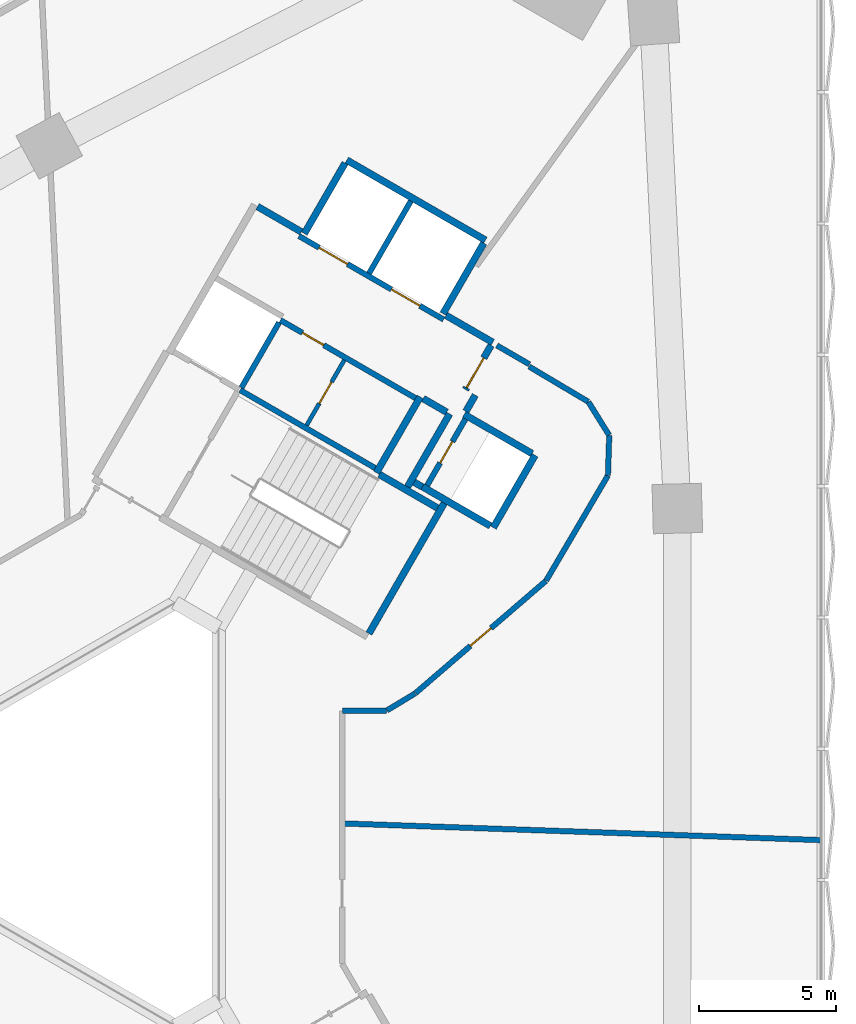
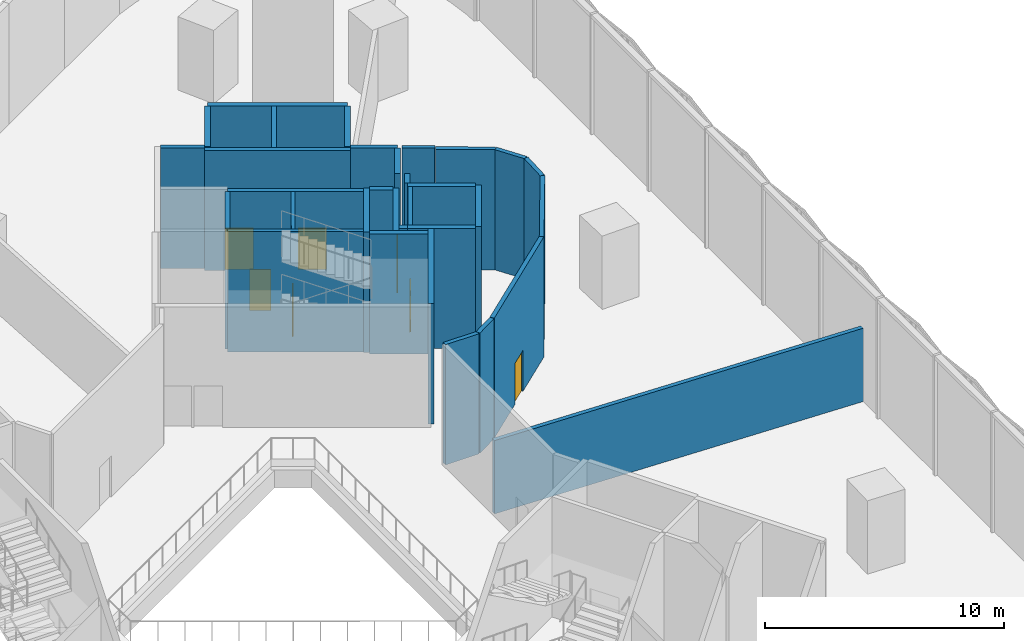
# One storey, part 17 of 32: 32 walls, 7 doors, 7 openings.
"""IFC4 building model written with IfcOpenShell, lengths in metres."""

from ifc_helpers import new_model, si_unit, direction, frame, frame_2d, origin, place, context, subcontext, project, spatial, rectangle, extrude, material, layer, layer_set, type_object, element, fill, save


model = new_model("IFC4")

# Units and contexts
model_context = context("Model", 3, precision=1e-05, world=origin(), true_north=direction((0.0, 1.0)))
body_context = subcontext(model_context, "Body", "Model", "MODEL_VIEW")
ifc_project = project(units=[si_unit("LENGTHUNIT", "METRE"), si_unit("AREAUNIT", "SQUARE_METRE"), si_unit("VOLUMEUNIT", "CUBIC_METRE"), si_unit("PLANEANGLEUNIT", "RADIAN"), si_unit("MASSUNIT", "GRAM", prefix="KILO")], contexts=[model_context])

# Site, building, storey
site_placement = place(None, origin())
site = spatial("IfcSite", under=ifc_project, at=site_placement, CompositionType="ELEMENT")
building_placement = place(site_placement, origin())
building = spatial("IfcBuilding", under=site, at=building_placement, Name="Tamra Quay Hotel Tower", CompositionType="ELEMENT")
storey_placement = place(building_placement, frame((0.0, 0.0, 7.5)))
storey = spatial("IfcBuildingStorey", under=building, at=storey_placement, Name="L01", CompositionType="ELEMENT", Elevation=7.5)

# Wall, openings, doors
ifc_material_1 = material(Name="Concrete M70", Category="concrete")
ifc_layer_1 = layer(ifc_material_1, 0.199951171875)
ifc_layer_set_1 = layer_set([ifc_layer_1], Name="Concrete M70 core wall 200")
wall_type_1 = type_object("IfcWallType", Name="Concrete M70 core wall 200", PredefinedType="SHEAR", material=ifc_layer_set_1)
wall_1_placement = place(storey_placement, frame((13.209716796875, 18.07958984375, 0.0), z_axis=(0.0, 0.0, 1.0), x_axis=(-0.866030299012, 0.499991521122, 0.0)))
wall_1 = element("IfcWall", 1, at=wall_1_placement, inside=storey, type_object=wall_type_1, Name="CW2", PredefinedType="SHEAR", context=body_context, shape_type="SweptSolid", body=[
    extrude(rectangle(XDim=6.10009765625, YDim=0.199951171875, at=frame_2d((3.050048828125, 0.0))), origin(), (0.0, 0.0, 1.0), 6.14990234375),
])
opening_1_placement = place(wall_1_placement, frame((1.0, 0.0, 0.0)))
opening_1 = element("IfcOpeningElement", 2, at=opening_1_placement, cuts=wall_1, Name="Opening LD", PredefinedType="OPENING", context=body_context, shape_type="SweptSolid", body=[
    extrude(rectangle(XDim=1.199951171875, YDim=2.10009765625, at=frame_2d((0.60009765625, 1.050048828125))), frame((0.0, 0.10986328125, 0.0), z_axis=(0.0, -1.0, 0.0), x_axis=(1.0, 0.0, 0.0)), (0.0, 0.0, 1.0), 0.219970703125),
])
opening_2_placement = place(wall_1_placement, frame((4.05029296875, 0.0, 0.0)))
opening_2 = element("IfcOpeningElement", 3, at=opening_2_placement, cuts=wall_1, Name="Opening LD", PredefinedType="OPENING", context=body_context, shape_type="SweptSolid", body=[
    extrude(rectangle(XDim=1.199951171875, YDim=2.10009765625, at=frame_2d((0.60009765625, 1.050048828125))), frame((0.0, 0.10986328125, 0.0), z_axis=(0.0, -1.0, 0.0), x_axis=(1.0, 0.0, 0.0)), (0.0, 0.0, 1.0), 0.219970703125),
])
ifc_material_2 = material(Name="Landing door LD 1200 double door sliding")
door_type_1 = type_object("IfcDoorType", Name="Landing door LD 1200 double door sliding", OperationType="DOUBLE_DOOR_SLIDING", PredefinedType="DOOR", material=ifc_material_2)
door_1_placement = place(opening_1_placement, origin())
door_1 = element("IfcDoor", 4, at=door_1_placement, inside=storey, type_object=door_type_1, Name="LD", OperationType="DOUBLE_DOOR_SLIDING", OverallHeight=2.10009765625, OverallWidth=1.199951171875, PredefinedType="DOOR", context=body_context, shape_type="SweptSolid", body=[
    extrude(rectangle(XDim=1.199951171875, YDim=2.10009765625, at=frame_2d((0.60009765625, 1.050048828125))), frame((0.0, 0.02490234375, 0.0), z_axis=(0.0, -1.0, 0.0), x_axis=(1.0, 0.0, 0.0)), (0.0, 0.0, 1.0), 0.050048828125),
])
fill(opening_1, door_1)
door_2_placement = place(opening_2_placement, origin())
door_2 = element("IfcDoor", 5, at=door_2_placement, inside=storey, type_object=door_type_1, Name="LD", OperationType="DOUBLE_DOOR_SLIDING", OverallHeight=2.10009765625, OverallWidth=1.199951171875, PredefinedType="DOOR", context=body_context, shape_type="SweptSolid", body=[
    extrude(rectangle(XDim=1.199951171875, YDim=2.10009765625, at=frame_2d((0.60009765625, 1.050048828125))), frame((0.0, 0.02490234375, 0.0), z_axis=(0.0, -1.0, 0.0), x_axis=(1.0, 0.0, 0.0)), (0.0, 0.0, 1.0), 0.050048828125),
])
fill(opening_2, door_2)

# Wall
wall_2_placement = place(storey_placement, frame((5.774658203125, 15.501953125, 0.0), z_axis=(0.0, 0.0, 1.0), x_axis=(0.866020080793, -0.500009219579, 0.0)))
element("IfcWall", 6, at=wall_2_placement, inside=storey, type_object=wall_type_1, Name="CW2", PredefinedType="SHEAR", context=body_context, shape_type="SweptSolid", body=[
    extrude(rectangle(XDim=5.69921875, YDim=0.199951171875, at=frame_2d((2.849609375, 0.0))), origin(), (0.0, 0.0, 1.0), 6.14990234375),
])

# Wall, opening, door
wall_3_placement = place(storey_placement, frame((12.18505859375, 15.20703125, 0.0), z_axis=(0.0, 0.0, 1.0), x_axis=(-0.866020080793, 0.500009219579, 0.0)))
wall_3 = element("IfcWall", 7, at=wall_3_placement, inside=storey, type_object=wall_type_1, Name="CW2", PredefinedType="SHEAR", context=body_context, shape_type="SweptSolid", body=[
    extrude(rectangle(XDim=5.69921875, YDim=0.199951171875, at=frame_2d((2.849609375, 0.0))), origin(), (0.0, 0.0, 1.0), 6.14990234375),
])
opening_3_placement = place(wall_3_placement, frame((3.8740234375, 0.0, 0.0)))
opening_3 = element("IfcOpeningElement", 8, at=opening_3_placement, cuts=wall_3, Name="Opening D2", PredefinedType="OPENING", context=body_context, shape_type="SweptSolid", body=[
    extrude(rectangle(XDim=0.89990234375, YDim=2.10009765625, at=frame_2d((0.449951171875, 1.050048828125))), frame((0.0, 0.10986328125, 0.0), z_axis=(0.0, -1.0, 0.0), x_axis=(1.0, 0.0, 0.0)), (0.0, 0.0, 1.0), 0.219970703125),
])
ifc_material_3 = material(Name="Core door D2 900x2100 LH")
door_type_2 = type_object("IfcDoorType", Name="Core door D2 900x2100 LH", OperationType="NOTDEFINED", PredefinedType="DOOR", material=ifc_material_3)
door_3_placement = place(opening_3_placement, origin())
door_3 = element("IfcDoor", 9, at=door_3_placement, inside=storey, type_object=door_type_2, Name="D2", OperationType="SINGLE_SWING_LEFT", OverallHeight=2.10009765625, OverallWidth=0.89990234375, PredefinedType="DOOR", context=body_context, shape_type="SweptSolid", body=[
    extrude(rectangle(XDim=0.89990234375, YDim=2.10009765625, at=frame_2d((0.449951171875, 1.050048828125))), frame((0.0, 0.02490234375, 0.0), z_axis=(0.0, -1.0, 0.0), x_axis=(1.0, 0.0, 0.0)), (0.0, 0.0, 1.0), 0.050048828125),
])
fill(opening_3, door_3)

# Wall
wall_4_placement = place(storey_placement, frame((10.48876953125, 19.76708984375, 0.0), z_axis=(0.0, 0.0, 1.0), x_axis=(0.499946628782, 0.866056215479, 0.0)))
element("IfcWall", 10, at=wall_4_placement, inside=storey, type_object=wall_type_1, Name="CW2", PredefinedType="SHEAR", context=body_context, shape_type="SweptSolid", body=[
    extrude(rectangle(XDim=3.048095703125, YDim=0.199951171875, at=frame_2d((1.52392578125, 0.0))), origin(), (0.0, 0.0, 1.0), 6.14990234375),
])

# Wall, opening, door
wall_5_placement = place(storey_placement, frame((14.0078125, 14.442138671875, 0.0), z_axis=(0.0, 0.0, 1.0), x_axis=(-0.499986818241, -0.866033014143, 0.0)))
wall_5 = element("IfcWall", 11, at=wall_5_placement, inside=storey, type_object=wall_type_1, Name="CW2", PredefinedType="SHEAR", context=body_context, shape_type="SweptSolid", body=[
    extrude(rectangle(XDim=2.7978515625, YDim=0.199951171875, at=frame_2d((1.39892578125, 0.0))), origin(), (0.0, 0.0, 1.0), 6.14990234375),
])
opening_4_placement = place(wall_5_placement, frame((0.948974609375, 0.0, 0.0)))
opening_4 = element("IfcOpeningElement", 12, at=opening_4_placement, cuts=wall_5, Name="Opening D1", PredefinedType="OPENING", context=body_context, shape_type="SweptSolid", body=[
    extrude(rectangle(XDim=0.89990234375, YDim=2.10009765625, at=frame_2d((0.449951171875, 1.050048828125))), frame((0.0, 0.10986328125, 0.0), z_axis=(0.0, -1.0, 0.0), x_axis=(1.0, 0.0, 0.0)), (0.0, 0.0, 1.0), 0.219970703125),
])
ifc_material_4 = material(Name="Core door D1 900x2100 RH")
door_type_3 = type_object("IfcDoorType", Name="Core door D1 900x2100 RH", OperationType="NOTDEFINED", PredefinedType="DOOR", material=ifc_material_4)
door_4_placement = place(opening_4_placement, origin())
door_4 = element("IfcDoor", 13, at=door_4_placement, inside=storey, type_object=door_type_3, Name="D1", OperationType="SINGLE_SWING_RIGHT", OverallHeight=2.10009765625, OverallWidth=0.89990234375, PredefinedType="DOOR", context=body_context, shape_type="SweptSolid", body=[
    extrude(rectangle(XDim=0.89990234375, YDim=2.10009765625, at=frame_2d((0.449951171875, 1.050048828125))), frame((0.0, 0.02490234375, 0.0), z_axis=(0.0, -1.0, 0.0), x_axis=(1.0, 0.0, 0.0)), (0.0, 0.0, 1.0), 0.050048828125),
])
fill(opening_4, door_4)

# Walls
wall_6_placement = place(storey_placement, frame((7.199462890625, 17.969970703125, 0.0), z_axis=(0.0, 0.0, 1.0), x_axis=(-0.499968400327, -0.866043647095, 0.0)))
element("IfcWall", 14, at=wall_6_placement, inside=storey, type_object=wall_type_1, Name="CW2", PredefinedType="SHEAR", context=body_context, shape_type="SweptSolid", body=[
    extrude(rectangle(XDim=2.749755859375, YDim=0.199951171875, at=frame_2d((1.375, 0.0))), origin(), (0.0, 0.0, 1.0), 6.14990234375),
])
ifc_layer_2 = layer(ifc_material_1, 0.25)
ifc_layer_set_2 = layer_set([ifc_layer_2], Name="Concrete M70 core wall 250")
wall_type_2 = type_object("IfcWallType", Name="Concrete M70 core wall 250", PredefinedType="SHEAR", material=ifc_layer_set_2)
wall_7_placement = place(storey_placement, frame((9.672607421875, 23.9033203125, 0.0), z_axis=(0.0, 0.0, 1.0), x_axis=(0.86603616409, -0.499981362141, 0.0)))
element("IfcWall", 15, at=wall_7_placement, inside=storey, type_object=wall_type_2, Name="CW1", PredefinedType="SHEAR", context=body_context, shape_type="SweptSolid", body=[
    extrude(rectangle(XDim=5.849853515625, YDim=0.25, at=frame_2d((2.9248046875, 0.0))), origin(), (0.0, 0.0, 1.0), 6.14990234375),
])
wall_8_placement = place(storey_placement, frame((13.237548828125, 11.3779296875, 0.0), z_axis=(0.0, 0.0, 1.0), x_axis=(-0.500008851346, -0.866020293397, 0.0)))
element("IfcWall", 16, at=wall_8_placement, inside=storey, type_object=wall_type_2, Name="CW1", PredefinedType="SHEAR", context=body_context, shape_type="SweptSolid", body=[
    extrude(rectangle(XDim=5.509765625, YDim=0.25, at=frame_2d((2.7548828125, 0.0))), origin(), (0.0, 0.0, 1.0), 6.14990234375),
])
wall_9_placement = place(storey_placement, frame((12.356689453125, 15.25244140625, 0.0), z_axis=(0.0, 0.0, 1.0), x_axis=(-0.500028443584, -0.866008981251, 0.0)))
element("IfcWall", 17, at=wall_9_placement, inside=storey, type_object=wall_type_2, Name="CW1", PredefinedType="SHEAR", context=body_context, shape_type="SweptSolid", body=[
    extrude(rectangle(XDim=3.199951171875, YDim=0.25, at=frame_2d((1.60009765625, 0.0))), origin(), (0.0, 0.0, 1.0), 6.14990234375),
])
for number, where, z_axis, x_axis, name in (
    (18, (8.12255859375, 21.21875, 0.0), (0.0, 0.0, 1.0), (0.499987686533, 0.866032512851, 0.0), "CW1"),
    (19, (14.67626953125, 20.869873046875, 0.0), (0.0, 0.0, 1.0), (-0.499987686533, -0.866032512851, 0.0), "CW1"),
):
    element("IfcWall", number, at=place(storey_placement, frame(where, z_axis=z_axis, x_axis=x_axis)), inside=storey, type_object=wall_type_2, Name=name, PredefinedType="SHEAR", context=body_context, shape_type="SweptSolid", body=[
        extrude(rectangle(XDim=2.974609375, YDim=0.25, at=frame_2d((1.4873046875, 0.0))), origin(), (0.0, 0.0, 1.0), 6.14990234375),
    ])
wall_10_placement = place(storey_placement, frame((16.552001953125, 13.118896484375, 0.0), z_axis=(0.0, 0.0, 1.0), x_axis=(-0.499978833458, -0.866037623948, 0.0)))
element("IfcWall", 20, at=wall_10_placement, inside=storey, type_object=wall_type_2, Name="CW1", PredefinedType="SHEAR", context=body_context, shape_type="SweptSolid", body=[
    extrude(rectangle(XDim=3.050048828125, YDim=0.25, at=frame_2d((1.52490234375, 0.0))), origin(), (0.0, 0.0, 1.0), 6.14990234375),
])
wall_11_placement = place(storey_placement, frame((14.91845703125, 10.540283203125, 0.0), z_axis=(0.0, 0.0, 1.0), x_axis=(-0.866063538972, 0.499933942099, 0.0)))
element("IfcWall", 21, at=wall_11_placement, inside=storey, type_object=wall_type_2, Name="CW1", PredefinedType="SHEAR", context=body_context, shape_type="SweptSolid", body=[
    extrude(rectangle(XDim=2.86474609375, YDim=0.25, at=frame_2d((1.432373046875, 0.0))), origin(), (0.0, 0.0, 1.0), 6.14990234375),
])
wall_12_placement = place(storey_placement, frame((13.962646484375, 14.61376953125, 0.0), z_axis=(0.0, 0.0, 1.0), x_axis=(0.866042235819, -0.499970844928, 0.0)))
element("IfcWall", 22, at=wall_12_placement, inside=storey, type_object=wall_type_2, Name="CW1", PredefinedType="SHEAR", context=body_context, shape_type="SweptSolid", body=[
    extrude(rectangle(XDim=2.864501953125, YDim=0.25, at=frame_2d((1.43212890625, 0.0))), origin(), (0.0, 0.0, 1.0), 6.14990234375),
])
wall_13_placement = place(storey_placement, frame((11.887939453125, 11.960693359375, 0.0), z_axis=(0.0, 0.0, 1.0), x_axis=(0.500003324108, 0.866023484601, 0.0)))
element("IfcWall", 23, at=wall_13_placement, inside=storey, type_object=wall_type_2, Name="CW1", PredefinedType="SHEAR", context=body_context, shape_type="SweptSolid", body=[
    extrude(rectangle(XDim=3.0849609375, YDim=0.25, at=frame_2d((1.54248046875, 0.0))), origin(), (0.0, 0.0, 1.0), 6.14990234375),
])
wall_14_placement = place(storey_placement, frame((10.865234375, 12.41845703125, 0.0), z_axis=(0.0, 0.0, 1.0), x_axis=(0.866026229868, -0.499998569178, 0.0)))
element("IfcWall", 24, at=wall_14_placement, inside=storey, type_object=wall_type_2, Name="CW1", PredefinedType="SHEAR", context=body_context, shape_type="SweptSolid", body=[
    extrude(rectangle(XDim=2.44921875, YDim=0.25, at=frame_2d((1.224609375, 0.0))), origin(), (0.0, 0.0, 1.0), 6.14990234375),
])
wall_15_placement = place(storey_placement, frame((13.29736328125, 18.23095703125, 0.0), z_axis=(0.0, 0.0, 1.0), x_axis=(0.866043531843, -0.499968599967, 0.0)))
element("IfcWall", 25, at=wall_15_placement, inside=storey, type_object=wall_type_2, Name="CW1", PredefinedType="SHEAR", context=body_context, shape_type="SweptSolid", body=[
    extrude(rectangle(XDim=1.974853515625, YDim=0.25, at=frame_2d((0.9873046875, 0.0))), origin(), (0.0, 0.0, 1.0), 6.14990234375),
])
wall_16_placement = place(storey_placement, frame((6.41259765625, 22.2060546875, 0.0), z_axis=(0.0, 0.0, 1.0), x_axis=(0.866016279763, -0.500015802937, 0.0)))
element("IfcWall", 26, at=wall_16_placement, inside=storey, type_object=wall_type_2, Name="CW1", PredefinedType="SHEAR", context=body_context, shape_type="SweptSolid", body=[
    extrude(rectangle(XDim=1.84912109375, YDim=0.25, at=frame_2d((0.924560546875, 0.0))), origin(), (0.0, 0.0, 1.0), 6.14990234375),
])

# Wall, opening, door
wall_17_placement = place(storey_placement, frame((14.94482421875, 17.13525390625, 0.0), z_axis=(0.0, 0.0, 1.0), x_axis=(-0.499983108224, -0.866035156036, 0.0)))
wall_17 = element("IfcWall", 27, at=wall_17_placement, inside=storey, type_object=wall_type_2, Name="CW1", PredefinedType="SHEAR", context=body_context, shape_type="SweptSolid", body=[
    extrude(rectangle(XDim=1.86474609375, YDim=0.25, at=frame_2d((0.932373046875, 0.0))), origin(), (0.0, 0.0, 1.0), 6.14990234375),
])
opening_5_placement = place(wall_17_placement, frame((0.53466796875, 0.0, 0.0)))
opening_5 = element("IfcOpeningElement", 28, at=opening_5_placement, cuts=wall_17, Name="Opening FD3", PredefinedType="OPENING", context=body_context, shape_type="SweptSolid", body=[
    extrude(rectangle(XDim=1.25, YDim=2.10009765625, at=frame_2d((0.625, 1.050048828125))), frame((0.0, 0.135009765625, 0.0), z_axis=(0.0, -1.0, 0.0), x_axis=(1.0, 0.0, 0.0)), (0.0, 0.0, 1.0), 0.27001953125),
])
ifc_material_5 = material(Name="Core door FD3 1250x2100 LH")
door_type_4 = type_object("IfcDoorType", Name="Core door FD3 1250x2100 LH", OperationType="NOTDEFINED", PredefinedType="DOOR", material=ifc_material_5)
door_5_placement = place(opening_5_placement, origin())
door_5 = element("IfcDoor", 29, at=door_5_placement, inside=storey, type_object=door_type_4, Name="FD3", OperationType="SINGLE_SWING_LEFT", OverallHeight=2.10009765625, OverallWidth=1.25, PredefinedType="DOOR", context=body_context, shape_type="SweptSolid", body=[
    extrude(rectangle(XDim=1.25, YDim=2.10009765625, at=frame_2d((0.625, 1.050048828125))), frame((0.0, 0.02490234375, 0.0), z_axis=(0.0, -1.0, 0.0), x_axis=(1.0, 0.0, 0.0)), (0.0, 0.0, 1.0), 0.050048828125),
])
fill(opening_5, door_5)

# Walls
wall_18_placement = place(storey_placement, frame((13.322021484375, 14.695068359375, 0.0), z_axis=(0.0, 0.0, 1.0), x_axis=(-0.866017078145, 0.500014420154, 0.0)))
element("IfcWall", 30, at=wall_18_placement, inside=storey, type_object=wall_type_2, Name="CW1", PredefinedType="SHEAR", context=body_context, shape_type="SweptSolid", body=[
    extrude(rectangle(XDim=0.9892578125, YDim=0.25, at=frame_2d((0.49462890625, 0.0))), origin(), (0.0, 0.0, 1.0), 6.14990234375),
])
wall_19_placement = place(storey_placement, frame((14.36767578125, 15.3154296875, 0.0), z_axis=(0.0, 0.0, 1.0), x_axis=(-0.499897359611, -0.866084655132, 0.0)))
element("IfcWall", 31, at=wall_19_placement, inside=storey, type_object=wall_type_2, Name="CW1", PredefinedType="SHEAR", context=body_context, shape_type="SweptSolid", body=[
    extrude(rectangle(XDim=0.684814453125, YDim=0.25, at=frame_2d((0.34228515625, 0.0))), origin(), (0.0, 0.0, 1.0), 6.14990234375),
])
wall_20_placement = place(storey_placement, frame((12.4326171875, 11.9638671875, 0.0), z_axis=(0.0, 0.0, 1.0), x_axis=(-0.866055875208, 0.499947218231, 0.0)))
element("IfcWall", 32, at=wall_20_placement, inside=storey, type_object=wall_type_2, Name="CW1", PredefinedType="SHEAR", context=body_context, shape_type="SweptSolid", body=[
    extrude(rectangle(XDim=0.3447265625, YDim=0.25, at=frame_2d((0.17236328125, 0.0))), origin(), (0.0, 0.0, 1.0), 6.14990234375),
])

# Wall, opening, door
ifc_material_6 = material(Name="Blockwork", Category="masonry")
ifc_layer_3 = layer(ifc_material_6, 0.14990234375)
ifc_layer_set_3 = layer_set([ifc_layer_3], Name="Core partition block 150")
wall_type_3 = type_object("IfcWallType", Name="Core partition block 150", PredefinedType="PARTITIONING", material=ifc_layer_set_3)
wall_21_placement = place(storey_placement, frame((8.20654296875, 14.214111328125, 0.0), z_axis=(0.0, 0.0, 1.0), x_axis=(0.499922376475, 0.866070215109, 0.0)))
wall_21 = element("IfcWall", 33, at=wall_21_placement, inside=storey, type_object=wall_type_3, Name="CP1", PredefinedType="PARTITIONING", context=body_context, shape_type="SweptSolid", body=[
    extrude(rectangle(XDim=2.74853515625, YDim=0.14990234375, at=frame_2d((1.374267578125, 0.0))), origin(), (0.0, 0.0, 1.0), 6.14990234375),
])
opening_6_placement = place(wall_21_placement, frame((0.92431640625, 0.0, 0.0)))
opening_6 = element("IfcOpeningElement", 34, at=opening_6_placement, cuts=wall_21, Name="Opening D2", PredefinedType="OPENING", context=body_context, shape_type="SweptSolid", body=[
    extrude(rectangle(XDim=0.89990234375, YDim=2.10009765625, at=frame_2d((0.449951171875, 1.050048828125))), frame((0.0, 0.0849609375, 0.0), z_axis=(0.0, -1.0, 0.0), x_axis=(1.0, 0.0, 0.0)), (0.0, 0.0, 1.0), 0.169921875),
])
door_6_placement = place(opening_6_placement, origin())
door_6 = element("IfcDoor", 35, at=door_6_placement, inside=storey, type_object=door_type_2, Name="D2", OperationType="SINGLE_SWING_LEFT", OverallHeight=2.10009765625, OverallWidth=0.89990234375, PredefinedType="DOOR", context=body_context, shape_type="SweptSolid", body=[
    extrude(rectangle(XDim=0.89990234375, YDim=2.10009765625, at=frame_2d((0.449951171875, 1.050048828125))), frame((0.0, 0.02490234375, 0.0), z_axis=(0.0, -1.0, 0.0), x_axis=(1.0, 0.0, 0.0)), (0.0, 0.0, 1.0), 0.050048828125),
])
fill(opening_6, door_6)

# Walls
ifc_material_7 = material(Name="Partition corridor wall")
ifc_layer_4 = layer(ifc_material_7, 0.199951171875)
ifc_layer_set_4 = layer_set([ifc_layer_4], Name="Partition corridor wall")
wall_type_4 = type_object("IfcWallType", Name="Partition corridor wall", PredefinedType="PARTITIONING", material=ifc_layer_set_4)
wall_22_placement = place(storey_placement, frame((9.510009765625, 3.7939453125, 0.0), z_axis=(0.0, 0.0, 1.0), x_axis=(1.0, 0.0, 0.0)))
element("IfcWall", 36, at=wall_22_placement, inside=storey, type_object=wall_type_4, Name="W-C", PredefinedType="PARTITIONING", context=body_context, shape_type="SweptSolid", body=[
    extrude(rectangle(XDim=1.6220703125, YDim=0.199951171875, at=frame_2d((0.81103515625, 0.0))), origin(), (0.0, 0.0, 1.0), 6.14990234375),
])
wall_23_placement = place(storey_placement, frame((11.137939453125, 3.799072265625, 0.0), z_axis=(0.0, 0.0, 1.0), x_axis=(0.857225224173, 0.514941661785, 0.0)))
element("IfcWall", 37, at=wall_23_placement, inside=storey, type_object=wall_type_4, Name="W-C", PredefinedType="PARTITIONING", context=body_context, shape_type="SweptSolid", body=[
    extrude(rectangle(XDim=1.20751953125, YDim=0.199951171875, at=frame_2d((0.603759765625, 0.0))), origin(), (0.0, 0.0, 1.0), 6.14990234375),
])

# Wall, opening, door
wall_24_placement = place(storey_placement, frame((12.18701171875, 4.43310546875, 0.0), z_axis=(0.0, 0.0, 1.0), x_axis=(0.757945584444, 0.652317783769, 0.0)))
wall_24 = element("IfcWall", 38, at=wall_24_placement, inside=storey, type_object=wall_type_4, Name="W-C", PredefinedType="PARTITIONING", context=body_context, shape_type="SweptSolid", body=[
    extrude(rectangle(XDim=6.277587890625, YDim=0.199951171875, at=frame_2d((3.138671875, 0.0))), origin(), (0.0, 0.0, 1.0), 6.14990234375),
])
opening_7_placement = place(wall_24_placement, frame((2.638916015625, 0.0, 0.0)))
opening_7 = element("IfcOpeningElement", 39, at=opening_7_placement, cuts=wall_24, Name="Opening L01-D015", PredefinedType="OPENING", context=body_context, shape_type="SweptSolid", body=[
    extrude(rectangle(XDim=1.0, YDim=2.10009765625, at=frame_2d((0.5, 1.050048828125))), frame((0.0, 0.10986328125, 0.0), z_axis=(0.0, -1.0, 0.0), x_axis=(1.0, 0.0, 0.0)), (0.0, 0.0, 1.0), 0.219970703125),
])
ifc_material_8 = material(Name="Door guest room 1000x2100")
door_type_5 = type_object("IfcDoorType", Name="Door guest room 1000x2100", OperationType="NOTDEFINED", PredefinedType="DOOR", material=ifc_material_8)
door_7_placement = place(opening_7_placement, origin())
door_7 = element("IfcDoor", 40, at=door_7_placement, inside=storey, type_object=door_type_5, Name="L01-D015", OperationType="SINGLE_SWING_LEFT", OverallHeight=2.10009765625, OverallWidth=1.0, PredefinedType="DOOR", context=body_context, shape_type="SweptSolid", body=[
    extrude(rectangle(XDim=1.0, YDim=2.10009765625, at=frame_2d((0.5, 1.050048828125))), frame((0.0, 0.02490234375, 0.0), z_axis=(0.0, -1.0, 0.0), x_axis=(1.0, 0.0, 0.0)), (0.0, 0.0, 1.0), 0.050048828125),
])
fill(opening_7, door_7)

# Walls
wall_25_placement = place(storey_placement, frame((15.15625, 17.13134765625, 0.0), z_axis=(0.0, 0.0, 1.0), x_axis=(0.865567897455, -0.500791588284, 0.0)))
element("IfcWall", 41, at=wall_25_placement, inside=storey, type_object=wall_type_4, Name="W-C", PredefinedType="PARTITIONING", context=body_context, shape_type="SweptSolid", body=[
    extrude(rectangle(XDim=1.376708984375, YDim=0.199951171875, at=frame_2d((0.6884765625, 0.0))), origin(), (0.0, 0.0, 1.0), 6.14990234375),
])
wall_26_placement = place(storey_placement, frame((16.3330078125, 16.361083984375, 0.0), z_axis=(0.0, 0.0, 1.0), x_axis=(0.859621281652, -0.510931748995, 0.0)))
element("IfcWall", 42, at=wall_26_placement, inside=storey, type_object=wall_type_4, Name="W-C", PredefinedType="PARTITIONING", context=body_context, shape_type="SweptSolid", body=[
    extrude(rectangle(XDim=2.511474609375, YDim=0.199951171875, at=frame_2d((1.255859375, 0.0))), origin(), (0.0, 0.0, 1.0), 6.14990234375),
])
wall_27_placement = place(storey_placement, frame((16.95703125, 8.5419921875, 0.0), z_axis=(0.0, 0.0, 1.0), x_axis=(0.506952960322, 0.861973721189, 0.0)))
element("IfcWall", 43, at=wall_27_placement, inside=storey, type_object=wall_type_4, Name="W-C", PredefinedType="PARTITIONING", context=body_context, shape_type="SweptSolid", body=[
    extrude(rectangle(XDim=4.447998046875, YDim=0.199951171875, at=frame_2d((2.22412109375, 0.0))), origin(), (0.0, 0.0, 1.0), 6.14990234375),
])
wall_28_placement = place(storey_placement, frame((18.5009765625, 15.068115234375, 0.0), z_axis=(0.0, 0.0, 1.0), x_axis=(0.529124417946, -0.84854425361, 0.0)))
element("IfcWall", 44, at=wall_28_placement, inside=storey, type_object=wall_type_4, Name="W-C", PredefinedType="PARTITIONING", context=body_context, shape_type="SweptSolid", body=[
    extrude(rectangle(XDim=1.430908203125, YDim=0.199951171875, at=frame_2d((0.71533203125, 0.0))), origin(), (0.0, 0.0, 1.0), 6.14990234375),
])
wall_29_placement = place(storey_placement, frame((19.214111328125, 12.385009765625, 0.0), z_axis=(0.0, 0.0, 1.0), x_axis=(0.032802164331, 0.999461864213, 0.0)))
element("IfcWall", 45, at=wall_29_placement, inside=storey, type_object=wall_type_4, Name="W-C", PredefinedType="PARTITIONING", context=body_context, shape_type="SweptSolid", body=[
    extrude(rectangle(XDim=1.458740234375, YDim=0.199951171875, at=frame_2d((0.7294921875, 0.0))), origin(), (0.0, 0.0, 1.0), 6.14990234375),
])
ifc_material_9 = material(Name="Partition party wall")
ifc_layer_5 = layer(ifc_material_9, 0.199951171875)
ifc_layer_set_5 = layer_set([ifc_layer_5], Name="Partition party wall")
wall_type_5 = type_object("IfcWallType", Name="Partition party wall", PredefinedType="PARTITIONING", material=ifc_layer_set_5)
wall_30_placement = place(storey_placement, frame((9.501953125, -0.330078125, 0.0), z_axis=(0.0, 0.0, 1.0), x_axis=(0.999391869081, -0.034869643174, 0.0)))
element("IfcWall", 46, at=wall_30_placement, inside=storey, type_object=wall_type_5, Name="W-P", PredefinedType="PARTITIONING", context=body_context, shape_type="SweptSolid", body=[
    extrude(rectangle(XDim=17.50390625, YDim=0.199951171875, at=frame_2d((8.751953125, 0.0))), origin(), (0.0, 0.0, 1.0), 3.75),
])

save(model, "model.ifc")
